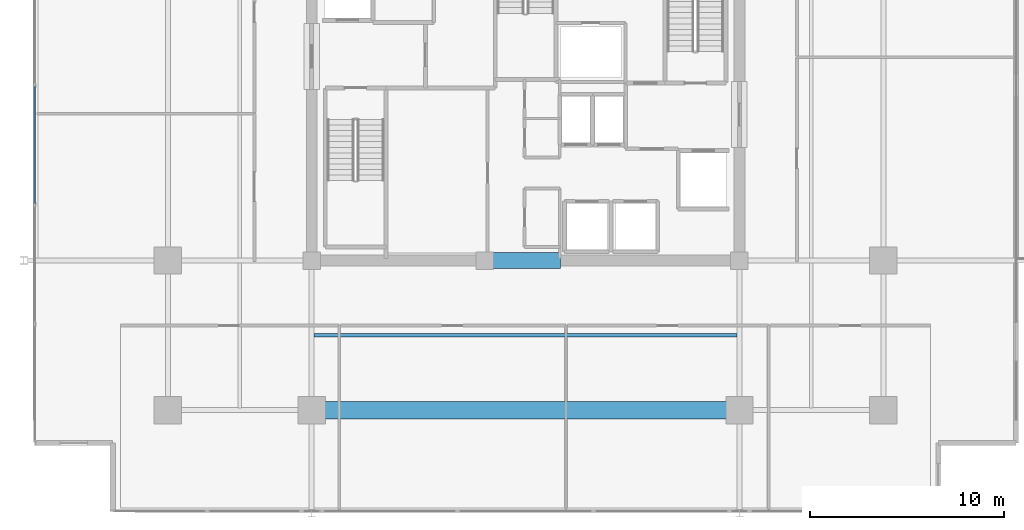
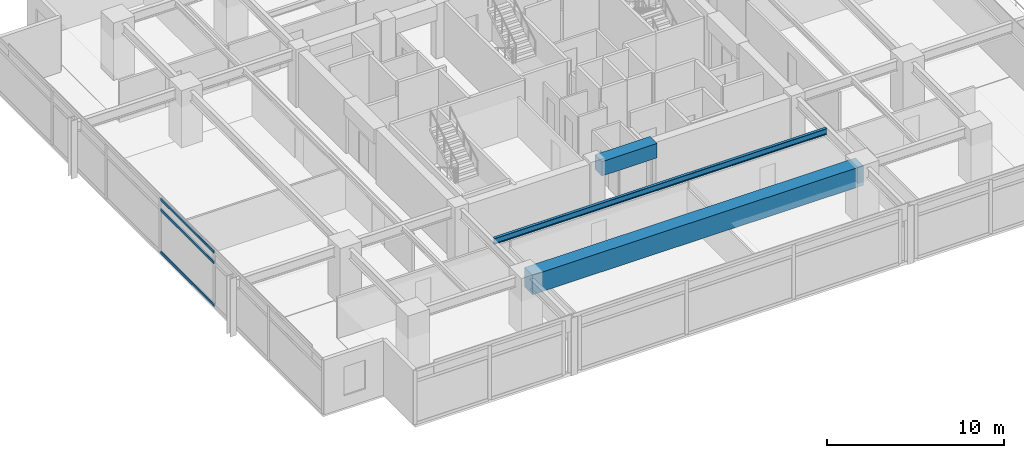
# One storey, part 5 of 20: 3 beams, 3 members, 1 element without a shape of its own.
"""IFC4 building model written with IfcOpenShell, lengths in metres."""

from ifc_helpers import new_model, si_unit, direction, frame, origin, origin_2d, place, context, subcontext, project, spatial, rectangle, hollow_rectangle, i_section, extrude, material, material_profile, profile_set, type_object, element, aggregate, save


model = new_model("IFC4")

# Units and contexts
model_context = context("Model", 3, precision=1e-05, world=origin(), true_north=direction((0.0, 1.0)))
body_context = subcontext(model_context, "Body", "Model", "MODEL_VIEW")
ifc_project = project(units=[si_unit("LENGTHUNIT", "METRE"), si_unit("AREAUNIT", "SQUARE_METRE"), si_unit("VOLUMEUNIT", "CUBIC_METRE"), si_unit("PLANEANGLEUNIT", "RADIAN"), si_unit("MASSUNIT", "GRAM", prefix="KILO")], contexts=[model_context])

# Site, building, storey
site_placement = place(None, origin())
site = spatial("IfcSite", under=ifc_project, at=site_placement, CompositionType="ELEMENT")
building_placement = place(site_placement, origin())
building = spatial("IfcBuilding", under=site, at=building_placement, Name="Kovane Verandah Tower", CompositionType="ELEMENT")
storey_placement = place(building_placement, frame((0.0, 0.0, 213.199951171875)))
storey = spatial("IfcBuildingStorey", under=building, at=storey_placement, Name="L49", CompositionType="ELEMENT", Elevation=213.199951171875)

# Beams
ifc_material_1 = material(Name="Concrete C60/75", Category="concrete")
ifc_material_profile_1 = material_profile(ifc_material_1, rectangle(XDim=0.800048828125, YDim=1.0, at=origin_2d()), Name="RCB800x1000")
ifc_profile_set_1 = profile_set([ifc_material_profile_1], Name="Concrete C60/75")
beam_type_1 = type_object("IfcBeamType", Name="BM-LINTEL-800x1000", PredefinedType="LINTEL", material=ifc_profile_set_1)
beam_1_placement = place(storey_placement, frame((38.199951171875, 18.5, 3.275146484375), z_axis=(1.0, 0.0, 0.0), x_axis=(0.0, 1.0, 0.0)))
element("IfcBeam", 1, at=beam_1_placement, inside=storey, type_object=beam_type_1, Name="L49 Core Coupling Lintel CL-S", PredefinedType="LINTEL", context=body_context, shape_type="SweptSolid", body=[
    extrude(rectangle(XDim=0.800048828125, YDim=1.0, at=origin_2d()), origin(), (0.0, 0.0, 1.0), 3.60009765625),
])
ifc_material_2 = material(Name="Concrete C80/95", Category="concrete")
ifc_material_profile_2 = material_profile(ifc_material_2, rectangle(XDim=0.89990234375, YDim=1.35009765625, at=origin_2d()), Name="RCB900x1350")
ifc_profile_set_2 = profile_set([ifc_material_profile_2], Name="Concrete C80/95")
beam_type_2 = type_object("IfcBeamType", Name="BM-TR-900x1350", PredefinedType="BEAM", material=ifc_profile_set_2)
beam_2_placement = place(storey_placement, frame((29.179931640625, 10.800048828125, 3.10009765625), z_axis=(1.0, 0.0, 0.0), x_axis=(0.0, 1.0, 0.0)))
element("IfcBeam", 2, at=beam_2_placement, inside=storey, type_object=beam_type_2, Name="L49 Primary Tower Girder G-RS2", PredefinedType="BEAM", context=body_context, shape_type="SweptSolid", body=[
    extrude(rectangle(XDim=0.89990234375, YDim=1.35009765625, at=origin_2d()), origin(), (0.0, 0.0, 1.0), 21.64013671875),
])

# Curtain wall, members
ifc_material_3 = material(Name="Champagne Anodised Aluminium Frame with Low-E Clear Laminated Glass", Category="aluminium")
curtain_wall_type = type_object("IfcCurtainWallType", Name="CW-SYS-03-MID", PredefinedType="NOTDEFINED", material=ifc_material_3)
curtain_wall_placement = place(storey_placement, origin())
curtain_wall = element("IfcCurtainWall", 3, at=curtain_wall_placement, inside=storey, type_object=curtain_wall_type, Name="L49 W Unitised Curtain Wall", PredefinedType="NOTDEFINED")
ifc_material_4 = material(Name="Champagne Anodised Aluminium 6063-T6", Category="aluminium")
ifc_material_profile_3 = material_profile(ifc_material_4, hollow_rectangle(XDim=0.0849609375, YDim=0.18994140625, WallThickness=0.00390625, at=origin_2d()), Name="AL85x190x4")
ifc_profile_set_3 = profile_set([ifc_material_profile_3], Name="Champagne Anodised Aluminium 6063-T6")
member_type = type_object("IfcMemberType", Name="CW-TRN-85x190", PredefinedType="USERDEFINED", material=ifc_profile_set_3)
member_1_placement = place(storey_placement, frame((14.768310546875, 27.449951171875, 0.050048828125), z_axis=(0.0, -1.0, 0.0), x_axis=(1.0, 0.0, 0.0)))
member_1 = element("IfcMember", 4, at=member_1_placement, type_object=member_type, Name="L49 W Unitised Curtain Wall Transom TB Bay 4", ObjectType="TRANSOM", PredefinedType="USERDEFINED", context=body_context, shape_type="SweptSolid", body=[
    extrude(hollow_rectangle(XDim=0.0849609375, YDim=0.18994140625, WallThickness=0.00390625, at=origin_2d()), origin(), (0.0, 0.0, 1.0), 6.02685546875),
])
member_2_placement = place(storey_placement, frame((14.768310546875, 27.449951171875, 2.9951171875), z_axis=(0.0, -1.0, 0.0), x_axis=(1.0, 0.0, 0.0)))
member_2 = element("IfcMember", 5, at=member_2_placement, type_object=member_type, Name="L49 W Unitised Curtain Wall Transom TM Bay 4", ObjectType="TRANSOM", PredefinedType="USERDEFINED", context=body_context, shape_type="SweptSolid", body=[
    extrude(hollow_rectangle(XDim=0.0849609375, YDim=0.18994140625, WallThickness=0.00390625, at=origin_2d()), origin(), (0.0, 0.0, 1.0), 6.02685546875),
])
member_3_placement = place(storey_placement, frame((14.768310546875, 27.449951171875, 3.72509765625), z_axis=(0.0, -1.0, 0.0), x_axis=(1.0, 0.0, 0.0)))
member_3 = element("IfcMember", 6, at=member_3_placement, type_object=member_type, Name="L49 W Unitised Curtain Wall Transom TT Bay 4", ObjectType="TRANSOM", PredefinedType="USERDEFINED", context=body_context, shape_type="SweptSolid", body=[
    extrude(hollow_rectangle(XDim=0.0849609375, YDim=0.18994140625, WallThickness=0.00390625, at=origin_2d()), origin(), (0.0, 0.0, 1.0), 6.02685546875),
])
aggregate(curtain_wall, [member_1, member_2, member_3])

# Beam
ifc_material_5 = material(Name="Steel S355", Category="steel")
ifc_material_profile_4 = material_profile(ifc_material_5, i_section(OverallWidth=0.179443359375, OverallDepth=0.412841796875, WebThickness=0.009521484375, FlangeThickness=0.01611328125, FilletRadius=0.01025390625, at=origin_2d()), Name="UB406x178x74")
ifc_profile_set_4 = profile_set([ifc_material_profile_4], Name="Steel S355")
beam_type_3 = type_object("IfcBeamType", Name="JST-UB406x74", PredefinedType="JOIST", material=ifc_profile_set_4)
beam_3_placement = place(storey_placement, frame((29.1259765625, 14.64990234375, 3.568603515625), z_axis=(1.0, 0.0, 0.0), x_axis=(0.0, 1.0, 0.0)))
element("IfcBeam", 7, at=beam_3_placement, inside=storey, type_object=beam_type_3, Name="L49 Secondary Composite Joist J-S1", PredefinedType="JOIST", context=body_context, shape_type="SweptSolid", body=[
    extrude(i_section(OverallWidth=0.179443359375, OverallDepth=0.412841796875, WebThickness=0.009521484375, FlangeThickness=0.01611328125, FilletRadius=0.01025390625, at=origin_2d()), origin(), (0.0, 0.0, 1.0), 21.748046875),
])

save(model, "model.ifc")
